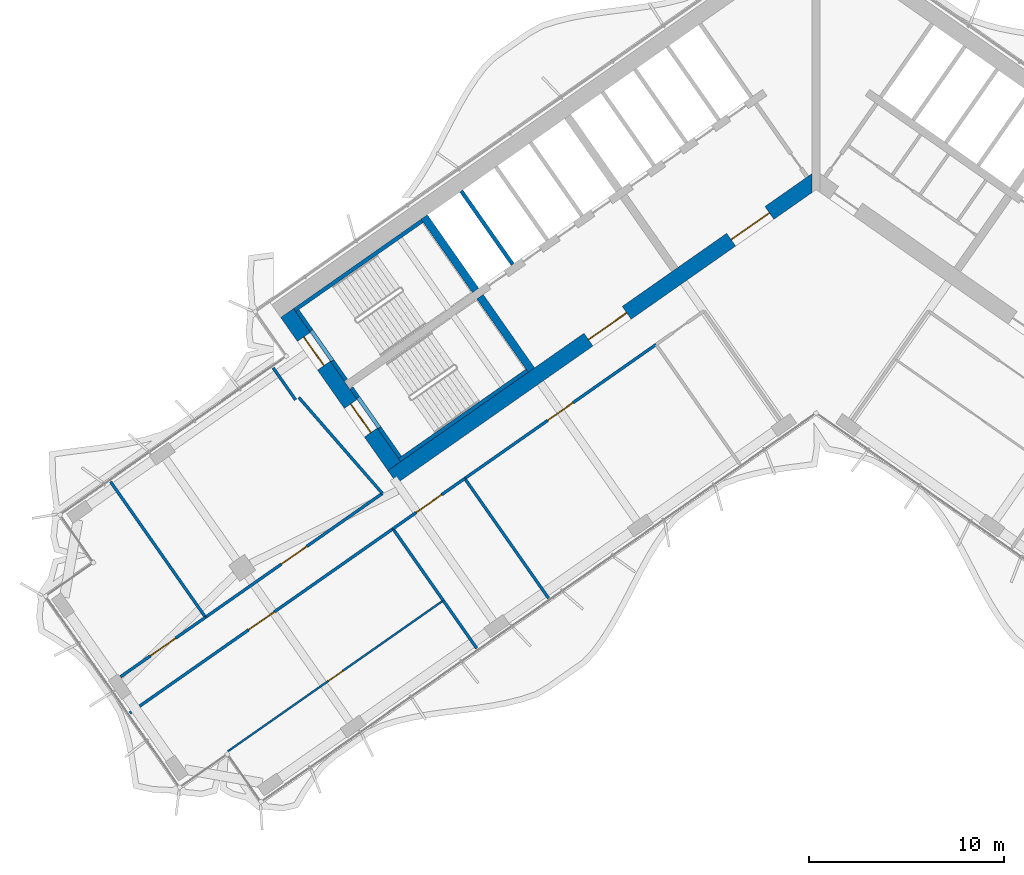
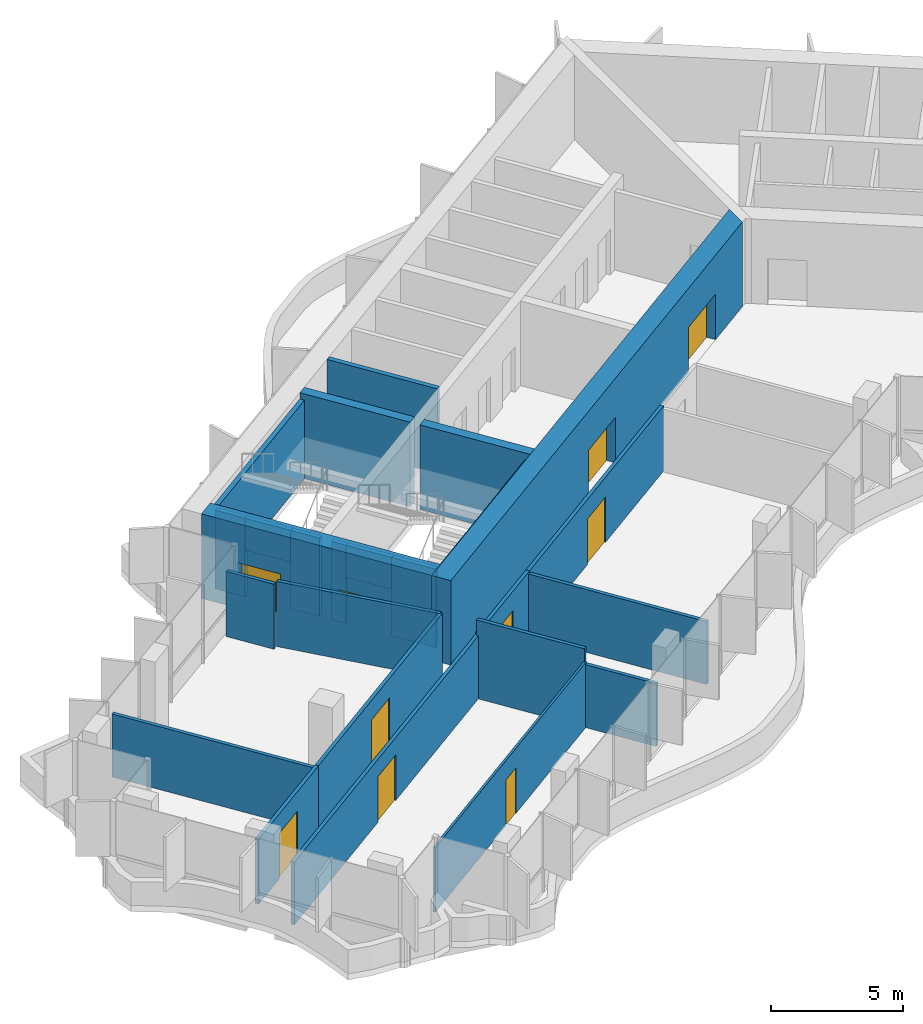
# One storey, part 12 of 21: 25 walls, 10 doors, 10 openings.
"""IFC4 building model written with IfcOpenShell, lengths in metres."""

from ifc_helpers import new_model, si_unit, direction, frame, frame_2d, origin, place, context, subcontext, project, spatial, polyline, rectangle, outline, extrude, material, layer, layer_set, type_object, element, fill, save


model = new_model("IFC4")

# Units and contexts
model_context = context("Model", 3, precision=1e-05, world=origin(), true_north=direction((0.0, 1.0)))
body_context = subcontext(model_context, "Body", "Model", "MODEL_VIEW")
ifc_project = project(units=[si_unit("LENGTHUNIT", "METRE"), si_unit("AREAUNIT", "SQUARE_METRE"), si_unit("VOLUMEUNIT", "CUBIC_METRE"), si_unit("PLANEANGLEUNIT", "RADIAN"), si_unit("MASSUNIT", "GRAM", prefix="KILO")], contexts=[model_context])

# Site, building, storey
site_placement = place(None, origin())
site = spatial("IfcSite", under=ifc_project, at=site_placement, CompositionType="ELEMENT")
building_placement = place(site_placement, origin())
building = spatial("IfcBuilding", under=site, at=building_placement, Name="Tel Ilan Convention Tower", CompositionType="ELEMENT")
storey_placement = place(building_placement, frame((0.0, 0.0, 155.39990234375)))
storey = spatial("IfcBuildingStorey", under=building, at=storey_placement, Name="L35", CompositionType="ELEMENT", Elevation=155.39990234375)

# Walls
ifc_material_1 = material(Name="Concrete C50/60", Category="concrete")
ifc_layer_1 = layer(ifc_material_1, 0.39990234375)
ifc_layer_set_1 = layer_set([ifc_layer_1], Name="Core Shear Wall 400 mm C50/60")
wall_type_1 = type_object("IfcWallType", Name="Core Shear Wall 400 mm C50/60", PredefinedType="SHEAR", material=ifc_layer_set_1)
wall_1_placement = place(storey_placement, frame((-14.6298828125, -10.48828125, 0.0), z_axis=(0.0, 0.0, 1.0), x_axis=(-0.573611936273, 0.819127185829, 0.0)))
element("IfcWall", 1, at=wall_1_placement, inside=storey, type_object=wall_type_1, Name="L35 core wall W-cross2-1", PredefinedType="SHEAR", context=body_context, shape_type="SweptSolid", body=[
    extrude(outline(polyline([(4.60009765625, 0.199951171875), (0.000244140625, 0.2001953125), (0.000244140625, -0.199951171875), (4.60009765625, -0.2001953125), (4.60009765625, 0.199951171875)])), origin(), (0.0, 0.0, 1.0), 3.900146484375),
])
wall_2_placement = place(storey_placement, frame((-17.497802734375, -6.392333984375, 0.0), z_axis=(0.0, 0.0, 1.0), x_axis=(-0.573611936273, 0.819127185829, 0.0)))
element("IfcWall", 2, at=wall_2_placement, inside=storey, type_object=wall_type_1, Name="L35 core wall W-cross2-2", PredefinedType="SHEAR", context=body_context, shape_type="SweptSolid", body=[
    extrude(outline(polyline([(4.599853515625, -0.2001953125), (4.599853515625, 0.199951171875), (0.0, 0.2001953125), (0.0, -0.199951171875), (4.599853515625, -0.2001953125)])), origin(), (0.0, 0.0, 1.0), 3.900146484375),
])

# Wall, openings, doors
ifc_material_2 = material(Name="Concrete C50/60", Category="concrete")
ifc_layer_2 = layer(ifc_material_2, 0.800048828125)
ifc_layer_set_2 = layer_set([ifc_layer_2], Name="Core Shear Wall 800 mm C50/60")
wall_type_2 = type_object("IfcWallType", Name="Core Shear Wall 800 mm C50/60", PredefinedType="SHEAR", material=ifc_layer_set_2)
wall_3_placement = place(storey_placement, frame((0.029296875, -0.7119140625, 0.0), z_axis=(0.0, 0.0, 1.0), x_axis=(-0.819151758019, -0.573576845187, 0.0)))
wall_3 = element("IfcWall", 3, at=wall_3_placement, inside=storey, type_object=wall_type_2, Name="L35 core wall W-front", PredefinedType="SHEAR", context=body_context, shape_type="SweptSolid", body=[
    extrude(outline(polyline([(26.61572265625, 0.39990234375), (0.56005859375, 0.39990234375), (-0.000244140625, -0.39990234375), (26.61572265625, -0.39990234375), (26.61572265625, 0.39990234375)])), origin(), (0.0, 0.0, 1.0), 3.900146484375),
])
opening_1_placement = place(wall_3_placement, frame((2.9658203125, 0.0, 0.0)))
opening_1 = element("IfcOpeningElement", 4, at=opening_1_placement, cuts=wall_3, Name="Opening CD2705", PredefinedType="OPENING", context=body_context, shape_type="SweptSolid", body=[
    extrude(rectangle(XDim=2.39990234375, YDim=2.10009765625, at=frame_2d((1.199951171875, 1.050048828125))), frame((0.0, 0.409912109375, 0.0), z_axis=(0.0, -1.0, 0.0), x_axis=(1.0, 0.0, 0.0)), (0.0, 0.0, 1.0), 0.820068359375),
])
opening_2_placement = place(wall_3_placement, frame((11.915771484375, 0.0, 0.0)))
opening_2 = element("IfcOpeningElement", 5, at=opening_2_placement, cuts=wall_3, Name="Opening CD2706", PredefinedType="OPENING", context=body_context, shape_type="SweptSolid", body=[
    extrude(rectangle(XDim=2.39990234375, YDim=2.10009765625, at=frame_2d((1.199951171875, 1.050048828125))), frame((0.0, 0.409912109375, 0.0), z_axis=(0.0, -1.0, 0.0), x_axis=(1.0, 0.0, 0.0)), (0.0, 0.0, 1.0), 0.820068359375),
])
ifc_material_3 = material(Name="Glazed Aluminium Door Leaf", Category="aluminium")
door_type_1 = type_object("IfcDoorType", Name="Lobby Opening Door 2400 x 2100 FD60S", OperationType="NOTDEFINED", PredefinedType="DOOR", material=ifc_material_3)
door_1_placement = place(opening_1_placement, origin())
door_1 = element("IfcDoor", 6, at=door_1_placement, inside=storey, type_object=door_type_1, Name="Lift Lobby LR1-LR4 opening", OperationType="DOUBLE_DOOR_SINGLE_SWING", OverallHeight=2.10009765625, OverallWidth=2.39990234375, PredefinedType="DOOR", context=body_context, shape_type="SweptSolid", body=[
    extrude(rectangle(XDim=2.39990234375, YDim=2.10009765625, at=frame_2d((1.199951171875, 1.050048828125))), frame((0.0, 0.02490234375, 0.0), z_axis=(0.0, -1.0, 0.0), x_axis=(1.0, 0.0, 0.0)), (0.0, 0.0, 1.0), 0.050048828125),
])
fill(opening_1, door_1)
door_2_placement = place(opening_2_placement, origin())
door_2 = element("IfcDoor", 7, at=door_2_placement, inside=storey, type_object=door_type_1, Name="Lift Lobby LR5-LR8 opening", OperationType="DOUBLE_DOOR_SINGLE_SWING", OverallHeight=2.10009765625, OverallWidth=2.39990234375, PredefinedType="DOOR", context=body_context, shape_type="SweptSolid", body=[
    extrude(rectangle(XDim=2.39990234375, YDim=2.10009765625, at=frame_2d((1.199951171875, 1.050048828125))), frame((0.0, 0.02490234375, 0.0), z_axis=(0.0, -1.0, 0.0), x_axis=(1.0, 0.0, 0.0)), (0.0, 0.0, 1.0), 0.050048828125),
])
fill(opening_2, door_2)

wall_4_placement = place(storey_placement, frame((-21.6748046875, -15.4208984375, 0.0), z_axis=(0.0, 0.0, 1.0), x_axis=(-0.573581815061, 0.819148278049, 0.0)))
wall_4 = element("IfcWall", 8, at=wall_4_placement, inside=storey, type_object=wall_type_2, Name="L35 core wall W-end", PredefinedType="SHEAR", context=body_context, shape_type="SweptSolid", body=[
    extrude(outline(polyline([(0.0, 0.39990234375), (0.0, -0.39990234375), (9.599853515625, -0.400146484375), (9.599853515625, 0.39990234375), (0.0, 0.39990234375)])), origin(), (0.0, 0.0, 1.0), 3.900146484375),
])
opening_3_placement = place(wall_4_placement, frame((6.300048828125, 0.0, 0.0)))
opening_3 = element("IfcOpeningElement", 9, at=opening_3_placement, cuts=wall_4, Name="Opening SD2701", PredefinedType="OPENING", context=body_context, shape_type="SweptSolid", body=[
    extrude(rectangle(XDim=1.800048828125, YDim=2.10009765625, at=frame_2d((0.89990234375, 1.050048828125))), frame((0.0, 0.409912109375, 0.0), z_axis=(0.0, -1.0, 0.0), x_axis=(1.0, 0.0, 0.0)), (0.0, 0.0, 1.0), 0.820068359375),
])
opening_4_placement = place(wall_4_placement, frame((2.10009765625, 0.0, 0.0)))
opening_4 = element("IfcOpeningElement", 10, at=opening_4_placement, cuts=wall_4, Name="Opening SD2702", PredefinedType="OPENING", context=body_context, shape_type="SweptSolid", body=[
    extrude(rectangle(XDim=1.800048828125, YDim=2.10009765625, at=frame_2d((0.89990234375, 1.050048828125))), frame((0.0, 0.409912109375, 0.0), z_axis=(0.0, -1.0, 0.0), x_axis=(1.0, 0.0, 0.0)), (0.0, 0.0, 1.0), 0.820068359375),
])
ifc_material_4 = material(Name="Galvanised Steel Door Leaf", Category="steel")
door_type_2 = type_object("IfcDoorType", Name="Stair Fire Door 1800 x 2100 FD60S", OperationType="NOTDEFINED", PredefinedType="DOOR", material=ifc_material_4)
door_3_placement = place(opening_3_placement, origin())
door_3 = element("IfcDoor", 11, at=door_3_placement, inside=storey, type_object=door_type_2, Name="Stair S1 door", OperationType="DOUBLE_DOOR_SINGLE_SWING", OverallHeight=2.10009765625, OverallWidth=1.800048828125, PredefinedType="DOOR", context=body_context, shape_type="SweptSolid", body=[
    extrude(rectangle(XDim=1.800048828125, YDim=2.10009765625, at=frame_2d((0.89990234375, 1.050048828125))), frame((0.0, 0.02490234375, 0.0), z_axis=(0.0, -1.0, 0.0), x_axis=(1.0, 0.0, 0.0)), (0.0, 0.0, 1.0), 0.050048828125),
])
fill(opening_3, door_3)
door_4_placement = place(opening_4_placement, origin())
door_4 = element("IfcDoor", 12, at=door_4_placement, inside=storey, type_object=door_type_2, Name="Stair S2 door", OperationType="DOUBLE_DOOR_SINGLE_SWING", OverallHeight=2.10009765625, OverallWidth=1.800048828125, PredefinedType="DOOR", context=body_context, shape_type="SweptSolid", body=[
    extrude(rectangle(XDim=1.800048828125, YDim=2.10009765625, at=frame_2d((0.89990234375, 1.050048828125))), frame((0.0, 0.02490234375, 0.0), z_axis=(0.0, -1.0, 0.0), x_axis=(1.0, 0.0, 0.0)), (0.0, 0.0, 1.0), 0.050048828125),
])
fill(opening_4, door_4)

# Wall, opening, door
ifc_material_5 = material(Name="Plasterboard on Steel Studs", Category="steel")
ifc_layer_3 = layer(ifc_material_5, 0.14990234375)
ifc_layer_set_3 = layer_set([ifc_layer_3], Name="Fire-rated Partition 150 EI 60")
wall_type_3 = type_object("IfcWallType", Name="Fire-rated Partition 150 EI 60", PredefinedType="PARTITIONING", material=ifc_layer_set_3)
wall_5_placement = place(storey_placement, frame((-31.37451171875, -23.190185546875, 0.0), z_axis=(0.0, 0.0, 1.0), x_axis=(0.819152339004, 0.573576015455, 0.0)))
wall_5 = element("IfcWall", 13, at=wall_5_placement, inside=storey, type_object=wall_type_3, Name="Partition 006", PredefinedType="PARTITIONING", context=body_context, shape_type="SweptSolid", body=[
    extrude(rectangle(XDim=11.0986328125, YDim=0.14990234375, at=frame_2d((5.54931640625, 0.0))), origin(), (0.0, 0.0, 1.0), 3.0),
])
opening_5_placement = place(wall_5_placement, frame((4.74951171875, 0.0, 0.0)))
opening_5 = element("IfcOpeningElement", 14, at=opening_5_placement, cuts=wall_5, Name="Opening L33-006", PredefinedType="OPENING", context=body_context, shape_type="SweptSolid", body=[
    extrude(rectangle(XDim=1.60009765625, YDim=2.10009765625, at=frame_2d((0.800048828125, 1.050048828125))), frame((0.0, 0.0849609375, 0.0), z_axis=(0.0, -1.0, 0.0), x_axis=(1.0, 0.0, 0.0)), (0.0, 0.0, 1.0), 0.169921875),
])
ifc_material_6 = material(Name="Timber Door Leaf in Steel Frame", Category="steel")
door_type_3 = type_object("IfcDoorType", Name="Tenant Suite Entrance Fire Door 1600x2100", OperationType="NOTDEFINED", PredefinedType="DOOR", material=ifc_material_6)
door_5_placement = place(opening_5_placement, origin())
door_5 = element("IfcDoor", 15, at=door_5_placement, inside=storey, type_object=door_type_3, Name="Door L33-006", OperationType="DOUBLE_DOOR_SINGLE_SWING", OverallHeight=2.10009765625, OverallWidth=1.60009765625, PredefinedType="DOOR", context=body_context, shape_type="SweptSolid", body=[
    extrude(rectangle(XDim=1.60009765625, YDim=2.10009765625, at=frame_2d((0.800048828125, 1.050048828125))), frame((0.0, 0.02490234375, 0.0), z_axis=(0.0, -1.0, 0.0), x_axis=(1.0, 0.0, 0.0)), (0.0, 0.0, 1.0), 0.050048828125),
])
fill(opening_5, door_5)

wall_6_placement = place(storey_placement, frame((-35.739013671875, -26.24658203125, 0.0), z_axis=(0.0, 0.0, 1.0), x_axis=(0.819145866886, 0.573585258495, 0.0)))
wall_6 = element("IfcWall", 16, at=wall_6_placement, inside=storey, type_object=wall_type_3, Name="Partition 007", PredefinedType="PARTITIONING", context=body_context, shape_type="SweptSolid", body=[
    extrude(rectangle(XDim=5.33203125, YDim=0.14990234375, at=frame_2d((2.666015625, 0.0))), origin(), (0.0, 0.0, 1.0), 3.0),
])
opening_6_placement = place(wall_6_placement, frame((1.865966796875, 0.0, 0.0)))
opening_6 = element("IfcOpeningElement", 17, at=opening_6_placement, cuts=wall_6, Name="Opening L33-007", PredefinedType="OPENING", context=body_context, shape_type="SweptSolid", body=[
    extrude(rectangle(XDim=1.60009765625, YDim=2.10009765625, at=frame_2d((0.800048828125, 1.050048828125))), frame((0.0, 0.0849609375, 0.0), z_axis=(0.0, -1.0, 0.0), x_axis=(1.0, 0.0, 0.0)), (0.0, 0.0, 1.0), 0.169921875),
])
door_6_placement = place(opening_6_placement, origin())
door_6 = element("IfcDoor", 18, at=door_6_placement, inside=storey, type_object=door_type_3, Name="Door L33-007", OperationType="DOUBLE_DOOR_SINGLE_SWING", OverallHeight=2.10009765625, OverallWidth=1.60009765625, PredefinedType="DOOR", context=body_context, shape_type="SweptSolid", body=[
    extrude(rectangle(XDim=1.60009765625, YDim=2.10009765625, at=frame_2d((0.800048828125, 1.050048828125))), frame((0.0, 0.02490234375, 0.0), z_axis=(0.0, -1.0, 0.0), x_axis=(1.0, 0.0, 0.0)), (0.0, 0.0, 1.0), 0.050048828125),
])
fill(opening_6, door_6)

wall_7_placement = place(storey_placement, frame((-8.22216796875, -9.17529296875, 0.0), z_axis=(0.0, 0.0, 1.0), x_axis=(-0.819154519377, -0.573572901543, 0.0)))
wall_7 = element("IfcWall", 19, at=wall_7_placement, inside=storey, type_object=wall_type_3, Name="Partition 009", PredefinedType="PARTITIONING", context=body_context, shape_type="SweptSolid", body=[
    extrude(rectangle(XDim=12.004150390625, YDim=0.14990234375, at=frame_2d((6.001953125, 0.0))), origin(), (0.0, 0.0, 1.0), 3.0),
])
opening_7_placement = place(wall_7_placement, frame((5.201904296875, 0.0, 0.0)))
opening_7 = element("IfcOpeningElement", 20, at=opening_7_placement, cuts=wall_7, Name="Opening L33-002", PredefinedType="OPENING", context=body_context, shape_type="SweptSolid", body=[
    extrude(rectangle(XDim=1.60009765625, YDim=2.10009765625, at=frame_2d((0.800048828125, 1.050048828125))), frame((0.0, 0.0849609375, 0.0), z_axis=(0.0, -1.0, 0.0), x_axis=(1.0, 0.0, 0.0)), (0.0, 0.0, 1.0), 0.169921875),
])
door_7_placement = place(opening_7_placement, origin())
door_7 = element("IfcDoor", 21, at=door_7_placement, inside=storey, type_object=door_type_3, Name="Door L33-002", OperationType="DOUBLE_DOOR_SINGLE_SWING", OverallHeight=2.10009765625, OverallWidth=1.60009765625, PredefinedType="DOOR", context=body_context, shape_type="SweptSolid", body=[
    extrude(rectangle(XDim=1.60009765625, YDim=2.10009765625, at=frame_2d((0.800048828125, 1.050048828125))), frame((0.0, 0.02490234375, 0.0), z_axis=(0.0, -1.0, 0.0), x_axis=(1.0, 0.0, 0.0)), (0.0, 0.0, 1.0), 0.050048828125),
])
fill(opening_7, door_7)

wall_8_placement = place(storey_placement, frame((-18.052001953125, -16.058349609375, 0.0), z_axis=(0.0, 0.0, 1.0), x_axis=(-0.819165703328, -0.573556928727, 0.0)))
wall_8 = element("IfcWall", 22, at=wall_8_placement, inside=storey, type_object=wall_type_3, Name="Partition 010", PredefinedType="PARTITIONING", context=body_context, shape_type="SweptSolid", body=[
    extrude(rectangle(XDim=4.50390625, YDim=0.14990234375, at=frame_2d((2.251953125, 0.0))), origin(), (0.0, 0.0, 1.0), 3.0),
])
opening_8_placement = place(wall_8_placement, frame((1.451904296875, 0.0, 0.0)))
opening_8 = element("IfcOpeningElement", 23, at=opening_8_placement, cuts=wall_8, Name="Opening L33-003", PredefinedType="OPENING", context=body_context, shape_type="SweptSolid", body=[
    extrude(rectangle(XDim=1.60009765625, YDim=2.10009765625, at=frame_2d((0.800048828125, 1.050048828125))), frame((0.0, 0.0849609375, 0.0), z_axis=(0.0, -1.0, 0.0), x_axis=(1.0, 0.0, 0.0)), (0.0, 0.0, 1.0), 0.169921875),
])
door_8_placement = place(opening_8_placement, origin())
door_8 = element("IfcDoor", 24, at=door_8_placement, inside=storey, type_object=door_type_3, Name="Door L33-003", OperationType="DOUBLE_DOOR_SINGLE_SWING", OverallHeight=2.10009765625, OverallWidth=1.60009765625, PredefinedType="DOOR", context=body_context, shape_type="SweptSolid", body=[
    extrude(rectangle(XDim=1.60009765625, YDim=2.10009765625, at=frame_2d((0.800048828125, 1.050048828125))), frame((0.0, 0.02490234375, 0.0), z_axis=(0.0, -1.0, 0.0), x_axis=(1.0, 0.0, 0.0)), (0.0, 0.0, 1.0), 0.050048828125),
])
fill(opening_8, door_8)

wall_9_placement = place(storey_placement, frame((-21.73828125, -18.639404296875, 0.0), z_axis=(0.0, 0.0, 1.0), x_axis=(-0.819152676681, -0.573575533201, 0.0)))
wall_9 = element("IfcWall", 25, at=wall_9_placement, inside=storey, type_object=wall_type_3, Name="Partition 011", PredefinedType="PARTITIONING", context=body_context, shape_type="SweptSolid", body=[
    extrude(rectangle(XDim=16.501953125, YDim=0.14990234375, at=frame_2d((8.2509765625, 0.0))), origin(), (0.0, 0.0, 1.0), 2.900146484375),
])
opening_9_placement = place(wall_9_placement, frame((7.450927734375, 0.0, 0.0)))
opening_9 = element("IfcOpeningElement", 26, at=opening_9_placement, cuts=wall_9, Name="Opening L33-004", PredefinedType="OPENING", context=body_context, shape_type="SweptSolid", body=[
    extrude(rectangle(XDim=1.60009765625, YDim=2.10009765625, at=frame_2d((0.800048828125, 1.050048828125))), frame((0.0, 0.0849609375, 0.0), z_axis=(0.0, -1.0, 0.0), x_axis=(1.0, 0.0, 0.0)), (0.0, 0.0, 1.0), 0.169921875),
])
door_9_placement = place(opening_9_placement, origin())
door_9 = element("IfcDoor", 27, at=door_9_placement, inside=storey, type_object=door_type_3, Name="Door L33-004", OperationType="DOUBLE_DOOR_SINGLE_SWING", OverallHeight=2.10009765625, OverallWidth=1.60009765625, PredefinedType="DOOR", context=body_context, shape_type="SweptSolid", body=[
    extrude(rectangle(XDim=1.60009765625, YDim=2.10009765625, at=frame_2d((0.800048828125, 1.050048828125))), frame((0.0, 0.02490234375, 0.0), z_axis=(0.0, -1.0, 0.0), x_axis=(1.0, 0.0, 0.0)), (0.0, 0.0, 1.0), 0.050048828125),
])
fill(opening_9, door_9)

# Walls
wall_10_placement = place(storey_placement, frame((-26.74609375, -12.013671875, 0.0), z_axis=(0.0, 0.0, 1.0), x_axis=(-0.573568836472, 0.819157365729, 0.0)))
element("IfcWall", 28, at=wall_10_placement, inside=storey, type_object=wall_type_3, Name="Partition 030", PredefinedType="PARTITIONING", context=body_context, shape_type="SweptSolid", body=[
    extrude(rectangle(XDim=2.000244140625, YDim=0.14990234375, at=frame_2d((1.0, 0.0))), origin(), (0.0, 0.0, 1.0), 3.0),
])
wall_11_placement = place(storey_placement, frame((-22.28369140625, -16.826416015625, 0.0), z_axis=(0.0, 0.0, 1.0), x_axis=(-0.656758142177, 0.754101281449, 0.0)))
element("IfcWall", 29, at=wall_11_placement, inside=storey, type_object=wall_type_3, Name="Partition 031", PredefinedType="PARTITIONING", context=body_context, shape_type="SweptSolid", body=[
    extrude(rectangle(XDim=6.53857421875, YDim=0.14990234375, at=frame_2d((3.269287109375, 0.0))), origin(), (0.0, 0.0, 1.0), 3.0),
])
wall_12_placement = place(storey_placement, frame((-31.373291015625, -23.188720703125, 0.0), z_axis=(0.0, 0.0, 1.0), x_axis=(-0.57357799764, 0.819150951061, 0.0)))
element("IfcWall", 30, at=wall_12_placement, inside=storey, type_object=wall_type_3, Name="Partition 032", PredefinedType="PARTITIONING", context=body_context, shape_type="SweptSolid", body=[
    extrude(rectangle(XDim=8.500244140625, YDim=0.14990234375, at=frame_2d((4.25, 0.0))), origin(), (0.0, 0.0, 1.0), 2.900146484375),
])
wall_13_placement = place(storey_placement, frame((-13.751708984375, -22.203125, 0.0), z_axis=(0.0, 0.0, 1.0), x_axis=(-0.573597787563, 0.819137093595, 0.0)))
element("IfcWall", 31, at=wall_13_placement, inside=storey, type_object=wall_type_3, Name="Partition 034", PredefinedType="PARTITIONING", context=body_context, shape_type="SweptSolid", body=[
    extrude(rectangle(XDim=7.5, YDim=0.14990234375, at=frame_2d((3.75, 0.0))), origin(), (0.0, 0.0, 1.0), 2.900146484375),
])
wall_14_placement = place(storey_placement, frame((-17.43798828125, -24.7841796875, 0.0), z_axis=(0.0, 0.0, 1.0), x_axis=(-0.573555162214, 0.819166940189, 0.0)))
element("IfcWall", 32, at=wall_14_placement, inside=storey, type_object=wall_type_3, Name="Partition 035", PredefinedType="PARTITIONING", context=body_context, shape_type="SweptSolid", body=[
    extrude(rectangle(XDim=3.0009765625, YDim=0.14990234375, at=frame_2d((1.50048828125, 0.0))), origin(), (0.0, 0.0, 1.0), 2.900146484375),
])
wall_15_placement = place(storey_placement, frame((-19.15771484375, -22.328369140625, 0.0), z_axis=(0.0, 0.0, 1.0), x_axis=(-0.573553333433, 0.819168220641, 0.0)))
element("IfcWall", 33, at=wall_15_placement, inside=storey, type_object=wall_type_3, Name="Partition 036", PredefinedType="PARTITIONING", context=body_context, shape_type="SweptSolid", body=[
    extrude(rectangle(XDim=4.501708984375, YDim=0.14990234375, at=frame_2d((2.2509765625, 0.0))), origin(), (0.0, 0.0, 1.0), 3.6201171875),
])
ifc_material_7 = material(Name="Concrete C30/37", Category="concrete")
ifc_layer_4 = layer(ifc_material_7, 0.199951171875)
ifc_layer_set_4 = layer_set([ifc_layer_4], Name="Lift Shaft Wall 200 mm C30/37")
wall_type_4 = type_object("IfcWallType", Name="Lift Shaft Wall 200 mm C30/37", PredefinedType="SOLIDWALL", material=ifc_layer_set_4)
wall_16_placement = place(storey_placement, frame((-15.593505859375, -5.058837890625, 0.0), z_axis=(0.0, 0.0, 1.0), x_axis=(-0.573540709186, 0.819177059558, 0.0)))
element("IfcWall", 34, at=wall_16_placement, inside=storey, type_object=wall_type_4, Name="L35 core wall bank-W2-p2", PredefinedType="SOLIDWALL", context=body_context, shape_type="SweptSolid", body=[
    extrude(rectangle(XDim=4.599853515625, YDim=0.199951171875, at=frame_2d((2.2998046875, 0.0))), origin(), (0.0, 0.0, 1.0), 3.900146484375),
])

# Wall, opening, door
ifc_material_8 = material(Name="Plasterboard on Steel Studs", Category="steel")
ifc_layer_5 = layer(ifc_material_8, 0.10009765625)
ifc_layer_set_5 = layer_set([ifc_layer_5], Name="Plasterboard Partition 100")
wall_type_5 = type_object("IfcWallType", Name="Plasterboard Partition 100", PredefinedType="PARTITIONING", material=ifc_layer_set_5)
wall_17_placement = place(storey_placement, frame((-19.158203125, -22.32763671875, 0.0), z_axis=(0.0, 0.0, 1.0), x_axis=(-0.819157147957, -0.573569147488, 0.0)))
wall_17 = element("IfcWall", 35, at=wall_17_placement, inside=storey, type_object=wall_type_5, Name="Partition 037", PredefinedType="PARTITIONING", context=body_context, shape_type="SweptSolid", body=[
    extrude(rectangle(XDim=13.5, YDim=0.10009765625, at=frame_2d((6.75, 0.0))), origin(), (0.0, 0.0, 1.0), 3.0),
])
opening_10_placement = place(wall_17_placement, frame((6.300048828125, 0.0, 0.0)))
opening_10 = element("IfcOpeningElement", 36, at=opening_10_placement, cuts=wall_17, Name="Opening L33-005", PredefinedType="OPENING", context=body_context, shape_type="SweptSolid", body=[
    extrude(rectangle(XDim=0.89990234375, YDim=2.10009765625, at=frame_2d((0.449951171875, 1.050048828125))), frame((0.0, 0.06005859375, 0.0), z_axis=(0.0, -1.0, 0.0), x_axis=(1.0, 0.0, 0.0)), (0.0, 0.0, 1.0), 0.1201171875),
])
ifc_material_9 = material(Name="Timber Door Leaf in Steel Frame", Category="steel")
door_type_4 = type_object("IfcDoorType", Name="Room Timber Door 900x2100", OperationType="NOTDEFINED", PredefinedType="DOOR", material=ifc_material_9)
door_10_placement = place(opening_10_placement, origin())
door_10 = element("IfcDoor", 37, at=door_10_placement, inside=storey, type_object=door_type_4, Name="Door L33-005", OperationType="SINGLE_SWING_LEFT", OverallHeight=2.10009765625, OverallWidth=0.89990234375, PredefinedType="DOOR", context=body_context, shape_type="SweptSolid", body=[
    extrude(rectangle(XDim=0.89990234375, YDim=2.10009765625, at=frame_2d((0.449951171875, 1.050048828125))), frame((0.0, 0.02490234375, 0.0), z_axis=(0.0, -1.0, 0.0), x_axis=(1.0, 0.0, 0.0)), (0.0, 0.0, 1.0), 0.050048828125),
])
fill(opening_10, door_10)

# Walls
ifc_material_10 = material(Name="Concrete C30/37", Category="concrete")
ifc_layer_6 = layer(ifc_material_10, 0.199951171875)
ifc_layer_set_6 = layer_set([ifc_layer_6], Name="Stair and Shaft Lining Wall 200 mm C30/37")
wall_type_6 = type_object("IfcWallType", Name="Stair and Shaft Lining Wall 200 mm C30/37", PredefinedType="SOLIDWALL", material=ifc_layer_set_6)
wall_18_placement = place(storey_placement, frame((-20.242919921875, -2.821044921875, 0.0), z_axis=(0.0, 0.0, 1.0), x_axis=(-0.819141584393, -0.57359137434, 0.0)))
element("IfcWall", 38, at=wall_18_placement, inside=storey, type_object=wall_type_6, Name="L35 core wall lining-S1-t1", PredefinedType="SOLIDWALL", context=body_context, shape_type="SweptSolid", body=[
    extrude(rectangle(XDim=7.999755859375, YDim=0.199951171875, at=frame_2d((4.0, 0.0))), origin(), (0.0, 0.0, 1.0), 3.6201171875),
])
wall_19_placement = place(storey_placement, frame((-24.16162109375, -10.99755859375, 0.0), z_axis=(0.0, 0.0, 1.0), x_axis=(-0.573612502218, 0.819126789514, 0.0)))
element("IfcWall", 39, at=wall_19_placement, inside=storey, type_object=wall_type_6, Name="L35 core wall lining-S1-u1-0", PredefinedType="SOLIDWALL", context=body_context, shape_type="SweptSolid", body=[
    extrude(rectangle(XDim=1.2001953125, YDim=0.199951171875, at=frame_2d((0.60009765625, 0.0))), origin(), (0.0, 0.0, 1.0), 3.6201171875),
])
wall_20_placement = place(storey_placement, frame((-25.939697265625, -8.4580078125, 0.0), z_axis=(0.0, 0.0, 1.0), x_axis=(-0.573619628835, 0.819121798889, 0.0)))
element("IfcWall", 40, at=wall_20_placement, inside=storey, type_object=wall_type_6, Name="L35 core wall lining-S1-u1-1", PredefinedType="SOLIDWALL", context=body_context, shape_type="SweptSolid", body=[
    extrude(rectangle(XDim=1.25, YDim=0.199951171875, at=frame_2d((0.625, 0.0))), origin(), (0.0, 0.0, 1.0), 3.6201171875),
])
wall_21_placement = place(storey_placement, frame((-24.85009765625, -10.014404296875, 2.150146484375), z_axis=(0.0, 0.0, 1.0), x_axis=(-0.573505465124, 0.819201734296, 0.0)))
element("IfcWall", 41, at=wall_21_placement, inside=storey, type_object=wall_type_6, Name="L35 core wall lining-S1-u1-lintel", PredefinedType="SOLIDWALL", context=body_context, shape_type="SweptSolid", body=[
    extrude(rectangle(XDim=1.89990234375, YDim=0.199951171875, at=frame_2d((0.949951171875, 0.0))), origin(), (0.0, 0.0, 1.0), 1.469970703125),
])
wall_22_placement = place(storey_placement, frame((-14.851318359375, -10.52099609375, 0.0), z_axis=(0.0, 0.0, 1.0), x_axis=(-0.819141584393, -0.57359137434, 0.0)))
element("IfcWall", 42, at=wall_22_placement, inside=storey, type_object=wall_type_6, Name="L35 core wall lining-S2-t0", PredefinedType="SOLIDWALL", context=body_context, shape_type="SweptSolid", body=[
    extrude(rectangle(XDim=7.999755859375, YDim=0.199951171875, at=frame_2d((4.0, 0.0))), origin(), (0.0, 0.0, 1.0), 3.6201171875),
])
wall_23_placement = place(storey_placement, frame((-21.3798828125, -14.97021484375, 0.0), z_axis=(0.0, 0.0, 1.0), x_axis=(-0.573559770908, 0.819163713305, 0.0)))
element("IfcWall", 43, at=wall_23_placement, inside=storey, type_object=wall_type_6, Name="L35 core wall lining-S2-u1-0", PredefinedType="SOLIDWALL", context=body_context, shape_type="SweptSolid", body=[
    extrude(rectangle(XDim=1.849853515625, YDim=0.199951171875, at=frame_2d((0.9248046875, 0.0))), origin(), (0.0, 0.0, 1.0), 3.6201171875),
])
wall_24_placement = place(storey_placement, frame((-23.53076171875, -11.8984375, 0.0), z_axis=(0.0, 0.0, 1.0), x_axis=(-0.573708088123, 0.819059844958, 0.0)))
element("IfcWall", 44, at=wall_24_placement, inside=storey, type_object=wall_type_6, Name="L35 core wall lining-S2-u1-1", PredefinedType="SOLIDWALL", context=body_context, shape_type="SweptSolid", body=[
    extrude(rectangle(XDim=0.60009765625, YDim=0.199951171875, at=frame_2d((0.300048828125, 0.0))), origin(), (0.0, 0.0, 1.0), 3.6201171875),
])
wall_25_placement = place(storey_placement, frame((-22.44091796875, -13.454833984375, 2.150146484375), z_axis=(0.0, 0.0, 1.0), x_axis=(-0.573591692345, 0.819141361715, 0.0)))
element("IfcWall", 45, at=wall_25_placement, inside=storey, type_object=wall_type_6, Name="L35 core wall lining-S2-u1-lintel", PredefinedType="SOLIDWALL", context=body_context, shape_type="SweptSolid", body=[
    extrude(rectangle(XDim=1.900146484375, YDim=0.199951171875, at=frame_2d((0.9501953125, 0.0))), origin(), (0.0, 0.0, 1.0), 1.469970703125),
])

save(model, "model.ifc")
